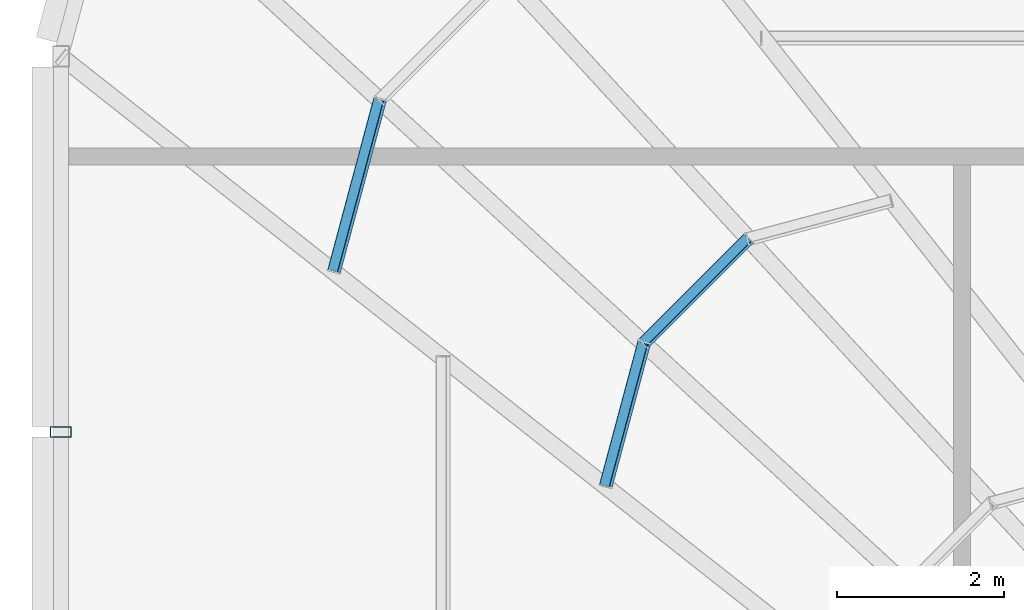
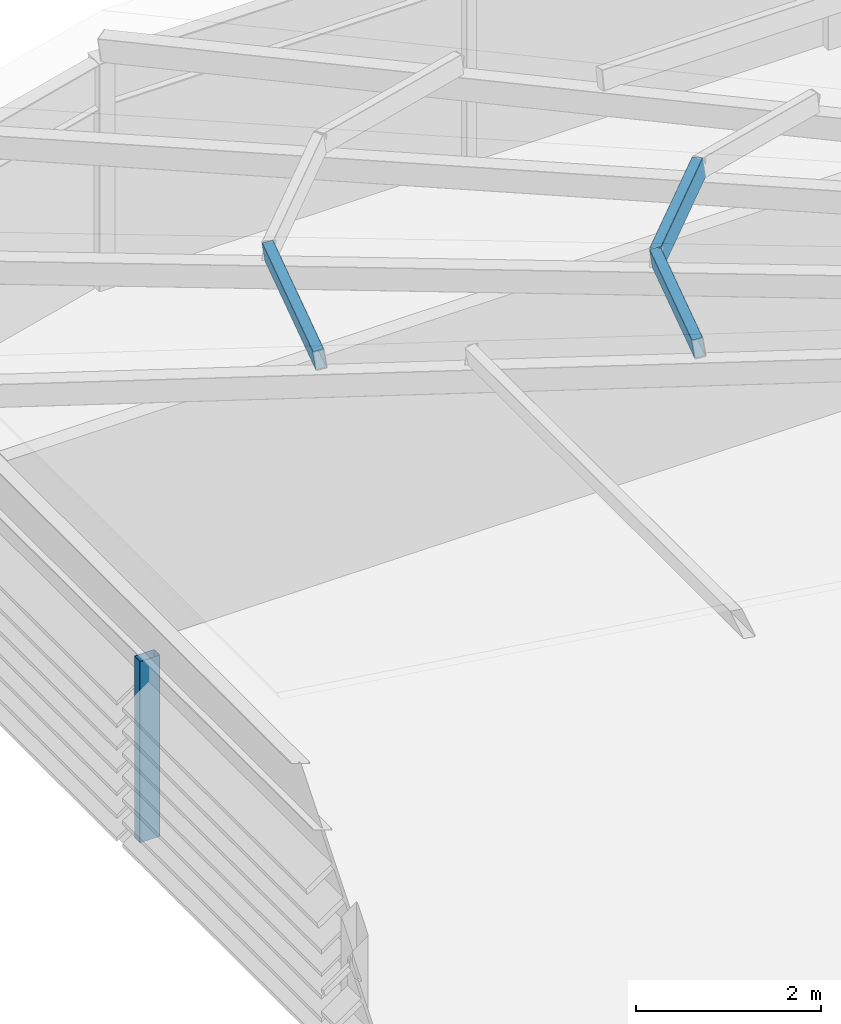
# One storey, part 14 of 46: 4 members.
"""IFC4 building model written with IfcOpenShell, lengths in metres."""

from ifc_helpers import new_model, si_unit, direction, frame, origin, origin_2d, place, context, subcontext, project, spatial, hollow_rectangle, extrude, material, material_profile, profile_set, type_object, element, save


model = new_model("IFC4")

# Units and contexts
model_context = context("Model", 3, precision=1e-05, world=origin(), true_north=direction((0.0, 1.0)))
body_context = subcontext(model_context, "Body", "Model", "MODEL_VIEW")
ifc_project = project(units=[si_unit("LENGTHUNIT", "METRE"), si_unit("AREAUNIT", "SQUARE_METRE"), si_unit("VOLUMEUNIT", "CUBIC_METRE"), si_unit("PLANEANGLEUNIT", "RADIAN"), si_unit("MASSUNIT", "GRAM", prefix="KILO")], contexts=[model_context])

# Site, building, storey
site_placement = place(None, origin())
site = spatial("IfcSite", under=ifc_project, at=site_placement, CompositionType="ELEMENT")
building_placement = place(site_placement, origin())
building = spatial("IfcBuilding", under=site, at=building_placement, Name="Madar Terraces", CompositionType="ELEMENT")
storey_placement = place(building_placement, frame((0.0, 0.0, 317.300048828125)))
storey = spatial("IfcBuildingStorey", under=building, at=storey_placement, Name="L82", CompositionType="ELEMENT", Elevation=317.300048828125)

# Members
ifc_material_1 = material(Name="Steel ASTM A500 Grade C", Category="steel")
ifc_material_profile_1 = material_profile(ifc_material_1, hollow_rectangle(XDim=0.126953125, YDim=0.25390625, WallThickness=0.00634765625, InnerFilletRadius=0.0029296875, OuterFilletRadius=0.0087890625, at=origin_2d()), Name="HSS10x5x.25")
ifc_profile_set_1 = profile_set([ifc_material_profile_1], Name="Steel ASTM A500 Grade C")
member_type_1 = type_object("IfcMemberType", Name="CF4 HSS10x5x.25", PredefinedType="PURLIN", material=ifc_profile_set_1)
member_1_placement = place(storey_placement, frame((9.4404296875, 39.814453125, 4.571044921875), z_axis=(-0.707106781187, -0.707106781187, 0.0), x_axis=(0.700941463334, -0.700941463334, 0.131765435371)))
element("IfcMember", 1, at=member_1_placement, inside=storey, type_object=member_type_1, Name="Crown frame purlin 42", PredefinedType="PURLIN", context=body_context, shape_type="SweptSolid", body=[
    extrude(hollow_rectangle(XDim=0.126953125, YDim=0.25390625, WallThickness=0.00634765625, InnerFilletRadius=0.0029296875, OuterFilletRadius=0.0087890625, at=origin_2d()), origin(), (0.0, 0.0, 1.0), 1.774658203125),
])
member_2_placement = place(storey_placement, frame((5.02490234375, 41.481201171875, 3.999755859375), z_axis=(-0.258846864828, -0.965918371587, 0.0), x_axis=(0.9571958065, -0.256509391298, 0.13408624163)))
element("IfcMember", 2, at=member_2_placement, inside=storey, type_object=member_type_1, Name="Crown frame purlin 45", PredefinedType="PURLIN", context=body_context, shape_type="SweptSolid", body=[
    extrude(hollow_rectangle(XDim=0.126953125, YDim=0.25390625, WallThickness=0.00634765625, InnerFilletRadius=0.0029296875, OuterFilletRadius=0.0087890625, at=origin_2d()), origin(), (0.0, 0.0, 1.0), 2.129638671875),
])
member_3_placement = place(storey_placement, frame((8.190185546875, 38.567138671875, 4.5712890625), z_axis=(-0.258878180119, -0.965909979169, 0.0), x_axis=(0.957187489869, -0.256540423801, 0.13408624163)))
element("IfcMember", 3, at=member_3_placement, inside=storey, type_object=member_type_1, Name="Crown frame purlin 46", PredefinedType="PURLIN", context=body_context, shape_type="SweptSolid", body=[
    extrude(hollow_rectangle(XDim=0.126953125, YDim=0.25390625, WallThickness=0.00634765625, InnerFilletRadius=0.0029296875, OuterFilletRadius=0.0087890625, at=origin_2d()), origin(), (0.0, 0.0, 1.0), 1.77490234375),
])
ifc_material_2 = material(Name="Steel ASTM A500 Grade C", Category="steel")
ifc_material_profile_2 = material_profile(ifc_material_2, hollow_rectangle(XDim=0.126953125, YDim=0.25390625, WallThickness=0.00634765625, InnerFilletRadius=0.0029296875, OuterFilletRadius=0.0087890625, at=origin_2d()), Name="HSS10x5x.25")
ifc_profile_set_2 = profile_set([ifc_material_profile_2], Name="Steel ASTM A500 Grade C")
member_type_2 = type_object("IfcMemberType", Name="LS2 HSS10x5x.25", PredefinedType="POST", material=ifc_profile_set_2)
member_4_placement = place(storey_placement, frame((1.199951171875, 37.5, 0.0), z_axis=(0.0, 0.0, 1.0), x_axis=(0.0, -1.0, 0.0)))
element("IfcMember", 4, at=member_4_placement, inside=storey, type_object=member_type_2, Name="Crown louvre post LS2", PredefinedType="POST", context=body_context, shape_type="SweptSolid", body=[
    extrude(hollow_rectangle(XDim=0.126953125, YDim=0.25390625, WallThickness=0.00634765625, InnerFilletRadius=0.0029296875, OuterFilletRadius=0.0087890625, at=origin_2d()), origin(), (0.0, 0.0, 1.0), 2.39794921875),
])

save(model, "model.ifc")
